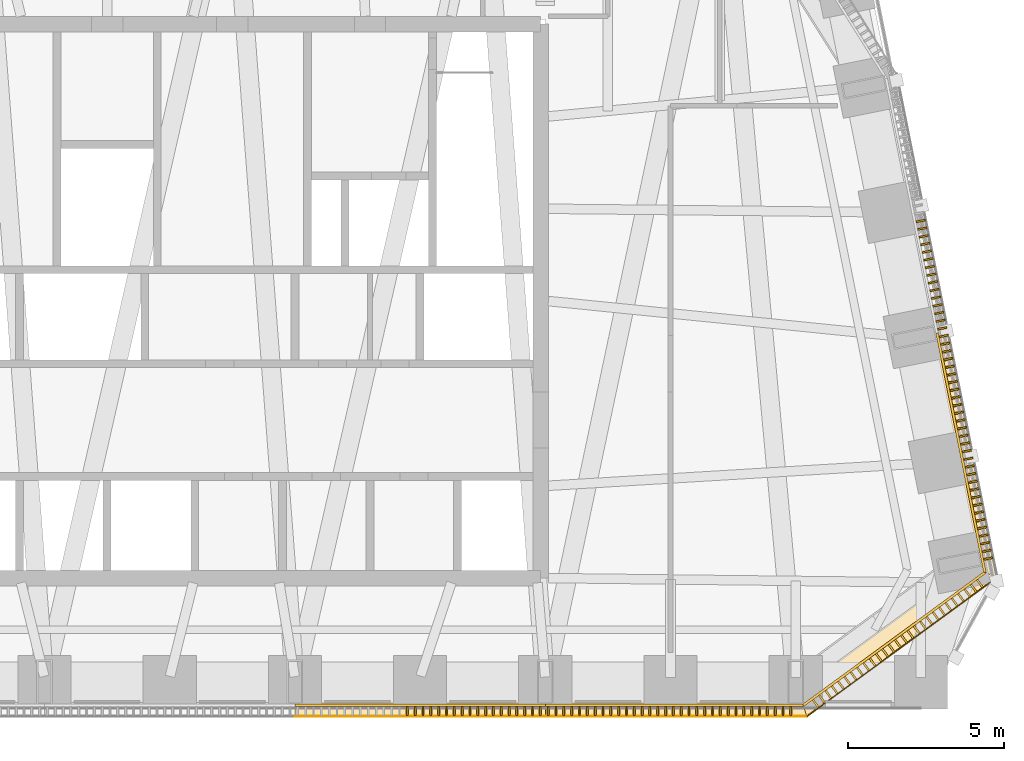
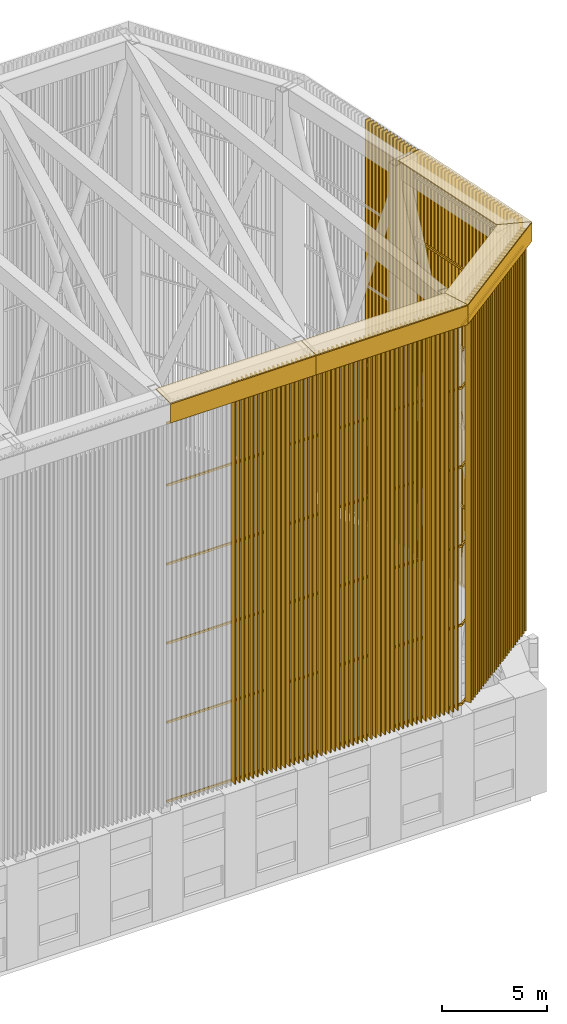
# One storey, part 13 of 15: 146 shading devices, 7 coverings.
"""IFC4 building model written with IfcOpenShell, lengths in metres."""

from ifc_helpers import new_model, si_unit, direction, frame, origin, origin_2d, place, context, subcontext, project, spatial, polyline, rectangle, outline, extrude, material, layer, layer_set, material_profile, profile_set, type_object, element, save


model = new_model("IFC4")

# Units and contexts
model_context = context("Model", 3, precision=1e-05, world=origin(), true_north=direction((0.0, 1.0)))
body_context = subcontext(model_context, "Body", "Model", "MODEL_VIEW")
ifc_project = project(units=[si_unit("LENGTHUNIT", "METRE"), si_unit("AREAUNIT", "SQUARE_METRE"), si_unit("VOLUMEUNIT", "CUBIC_METRE"), si_unit("PLANEANGLEUNIT", "RADIAN"), si_unit("MASSUNIT", "GRAM", prefix="KILO")], contexts=[model_context])

# Site, building, storey
site_placement = place(None, origin())
site = spatial("IfcSite", under=ifc_project, at=site_placement, CompositionType="ELEMENT")
building_placement = place(site_placement, origin())
building = spatial("IfcBuilding", under=site, at=building_placement, Name="Isbrekke Arena Tower", CompositionType="ELEMENT")
storey_placement = place(building_placement, frame((0.0, 0.0, 324.0)))
storey = spatial("IfcBuildingStorey", under=building, at=storey_placement, Name="L76", CompositionType="ELEMENT", Elevation=324.0)

# Shading devices
ifc_material_1 = material(Name="Pre-patinated copper on aluminium core", Category="aluminium")
ifc_material_profile = material_profile(ifc_material_1, rectangle(XDim=0.06005859375, YDim=0.300048828125, at=origin_2d()), Name="FIN 60X300")
ifc_profile_set = profile_set([ifc_material_profile], Name="Pre-patinated copper on aluminium core")
shading_device_type_1 = type_object("IfcShadingDeviceType", Name="CR1 CROWN FIN 60 x 300", PredefinedType="USERDEFINED", material=ifc_profile_set)
for number, where, z_axis, x_axis, name in (
    (1, (9.593017578125, 1.89501953125, 6.60009765625), (0.0, 0.0, 1.0), (1.0, 0.0, 0.0), "CR1 crown fin A144"),
    (2, (9.843017578125, 1.89501953125, 6.60009765625), (0.0, 0.0, 1.0), (1.0, 0.0, 0.0), "CR1 crown fin A145"),
    (3, (10.093017578125, 1.89501953125, 6.60009765625), (0.0, 0.0, 1.0), (1.0, 0.0, 0.0), "CR1 crown fin A146"),
    (4, (10.343017578125, 1.89501953125, 6.60009765625), (0.0, 0.0, 1.0), (1.0, 0.0, 0.0), "CR1 crown fin A147"),
    (5, (10.593017578125, 1.89501953125, 6.60009765625), (0.0, 0.0, 1.0), (1.0, 0.0, 0.0), "CR1 crown fin A148"),
    (6, (10.843017578125, 1.89501953125, 6.60009765625), (0.0, 0.0, 1.0), (1.0, 0.0, 0.0), "CR1 crown fin A149"),
    (7, (11.093017578125, 1.89501953125, 6.60009765625), (0.0, 0.0, 1.0), (1.0, 0.0, 0.0), "CR1 crown fin A150"),
    (8, (11.343017578125, 1.89501953125, 6.60009765625), (0.0, 0.0, 1.0), (1.0, 0.0, 0.0), "CR1 crown fin A151"),
    (9, (11.593017578125, 1.89501953125, 6.60009765625), (0.0, 0.0, 1.0), (1.0, 0.0, 0.0), "CR1 crown fin A152"),
    (10, (11.843017578125, 1.89501953125, 6.60009765625), (0.0, 0.0, 1.0), (1.0, 0.0, 0.0), "CR1 crown fin A153"),
    (11, (12.093017578125, 1.89501953125, 6.60009765625), (0.0, 0.0, 1.0), (1.0, 0.0, 0.0), "CR1 crown fin A154"),
    (12, (12.343017578125, 1.89501953125, 6.60009765625), (0.0, 0.0, 1.0), (1.0, 0.0, 0.0), "CR1 crown fin A155"),
    (13, (12.593017578125, 1.89501953125, 6.60009765625), (0.0, 0.0, 1.0), (1.0, 0.0, 0.0), "CR1 crown fin A156"),
    (14, (12.843017578125, 1.89501953125, 6.60009765625), (0.0, 0.0, 1.0), (1.0, 0.0, 0.0), "CR1 crown fin A157"),
    (15, (13.093017578125, 1.89501953125, 6.60009765625), (0.0, 0.0, 1.0), (1.0, 0.0, 0.0), "CR1 crown fin A158"),
    (16, (13.343017578125, 1.89501953125, 6.60009765625), (0.0, 0.0, 1.0), (1.0, 0.0, 0.0), "CR1 crown fin A159"),
    (17, (13.593017578125, 1.89501953125, 6.60009765625), (0.0, 0.0, 1.0), (1.0, 0.0, 0.0), "CR1 crown fin A160"),
    (18, (13.843017578125, 1.89501953125, 6.60009765625), (0.0, 0.0, 1.0), (1.0, 0.0, 0.0), "CR1 crown fin A161"),
    (19, (14.093017578125, 1.89501953125, 6.60009765625), (0.0, 0.0, 1.0), (1.0, 0.0, 0.0), "CR1 crown fin A162"),
    (20, (14.343017578125, 1.89501953125, 6.60009765625), (0.0, 0.0, 1.0), (1.0, 0.0, 0.0), "CR1 crown fin A163"),
    (21, (14.593017578125, 1.89501953125, 6.60009765625), (0.0, 0.0, 1.0), (1.0, 0.0, 0.0), "CR1 crown fin A164"),
    (22, (14.843017578125, 1.89501953125, 6.60009765625), (0.0, 0.0, 1.0), (1.0, 0.0, 0.0), "CR1 crown fin A165"),
    (23, (15.093017578125, 1.89501953125, 6.60009765625), (0.0, 0.0, 1.0), (1.0, 0.0, 0.0), "CR1 crown fin A166"),
    (24, (15.343017578125, 1.89501953125, 6.60009765625), (0.0, 0.0, 1.0), (1.0, 0.0, 0.0), "CR1 crown fin A167"),
    (25, (15.593017578125, 1.89501953125, 6.60009765625), (0.0, 0.0, 1.0), (1.0, 0.0, 0.0), "CR1 crown fin A168"),
    (26, (15.843017578125, 1.89501953125, 6.60009765625), (0.0, 0.0, 1.0), (1.0, 0.0, 0.0), "CR1 crown fin A169"),
    (27, (16.093017578125, 1.89501953125, 6.60009765625), (0.0, 0.0, 1.0), (1.0, 0.0, 0.0), "CR1 crown fin A170"),
    (28, (16.343017578125, 1.89501953125, 6.60009765625), (0.0, 0.0, 1.0), (1.0, 0.0, 0.0), "CR1 crown fin A171"),
    (29, (16.593017578125, 1.89501953125, 6.60009765625), (0.0, 0.0, 1.0), (1.0, 0.0, 0.0), "CR1 crown fin A172"),
    (30, (16.843017578125, 1.89501953125, 6.60009765625), (0.0, 0.0, 1.0), (1.0, 0.0, 0.0), "CR1 crown fin A173"),
    (31, (17.093017578125, 1.89501953125, 6.60009765625), (0.0, 0.0, 1.0), (1.0, 0.0, 0.0), "CR1 crown fin A174"),
    (32, (17.343017578125, 1.89501953125, 6.60009765625), (0.0, 0.0, 1.0), (1.0, 0.0, 0.0), "CR1 crown fin A175"),
    (33, (17.593017578125, 1.89501953125, 6.60009765625), (0.0, 0.0, 1.0), (1.0, 0.0, 0.0), "CR1 crown fin A176"),
    (34, (17.843017578125, 1.89501953125, 6.60009765625), (0.0, 0.0, 1.0), (1.0, 0.0, 0.0), "CR1 crown fin A177"),
    (35, (18.093017578125, 1.89501953125, 6.60009765625), (0.0, 0.0, 1.0), (1.0, 0.0, 0.0), "CR1 crown fin A178"),
    (36, (18.343017578125, 1.89501953125, 6.60009765625), (0.0, 0.0, 1.0), (1.0, 0.0, 0.0), "CR1 crown fin A179"),
    (37, (18.593017578125, 1.89501953125, 6.60009765625), (0.0, 0.0, 1.0), (1.0, 0.0, 0.0), "CR1 crown fin A180"),
    (38, (18.843017578125, 1.89501953125, 6.60009765625), (0.0, 0.0, 1.0), (1.0, 0.0, 0.0), "CR1 crown fin A181"),
    (39, (19.093017578125, 1.89501953125, 6.60009765625), (0.0, 0.0, 1.0), (1.0, 0.0, 0.0), "CR1 crown fin A182"),
    (40, (19.343017578125, 1.89501953125, 6.60009765625), (0.0, 0.0, 1.0), (1.0, 0.0, 0.0), "CR1 crown fin A183"),
    (41, (19.593017578125, 1.89501953125, 6.60009765625), (0.0, 0.0, 1.0), (1.0, 0.0, 0.0), "CR1 crown fin A184"),
    (42, (19.843017578125, 1.89501953125, 6.60009765625), (0.0, 0.0, 1.0), (1.0, 0.0, 0.0), "CR1 crown fin A185"),
    (43, (20.093017578125, 1.89501953125, 6.60009765625), (0.0, 0.0, 1.0), (1.0, 0.0, 0.0), "CR1 crown fin A186"),
    (44, (20.343017578125, 1.89501953125, 6.60009765625), (0.0, 0.0, 1.0), (1.0, 0.0, 0.0), "CR1 crown fin A187"),
    (45, (20.593017578125, 1.89501953125, 6.60009765625), (0.0, 0.0, 1.0), (1.0, 0.0, 0.0), "CR1 crown fin A188"),
    (46, (20.843017578125, 1.89501953125, 6.60009765625), (0.0, 0.0, 1.0), (1.0, 0.0, 0.0), "CR1 crown fin A189"),
    (47, (21.093017578125, 1.89501953125, 6.60009765625), (0.0, 0.0, 1.0), (1.0, 0.0, 0.0), "CR1 crown fin A190"),
    (48, (21.343017578125, 1.89501953125, 6.60009765625), (0.0, 0.0, 1.0), (1.0, 0.0, 0.0), "CR1 crown fin A191"),
    (49, (21.593017578125, 1.89501953125, 6.60009765625), (0.0, 0.0, 1.0), (1.0, 0.0, 0.0), "CR1 crown fin A192"),
    (50, (21.843017578125, 1.89501953125, 6.60009765625), (0.0, 0.0, 1.0), (1.0, 0.0, 0.0), "CR1 crown fin A193"),
    (51, (22.637939453125, 2.139404296875, 6.60009765625), (0.0, 0.0, 1.0), (0.80733033499, 0.590099762926, 0.0), "CR1 crown fin B1"),
    (52, (22.83984375, 2.286865234375, 6.60009765625), (0.0, 0.0, 1.0), (0.80733033499, 0.590099762926, 0.0), "CR1 crown fin B2"),
    (53, (23.04150390625, 2.434326171875, 6.60009765625), (0.0, 0.0, 1.0), (0.80733033499, 0.590099762926, 0.0), "CR1 crown fin B3"),
    (54, (23.243408203125, 2.58203125, 6.60009765625), (0.0, 0.0, 1.0), (0.80733033499, 0.590099762926, 0.0), "CR1 crown fin B4"),
    (55, (23.4453125, 2.7294921875, 6.60009765625), (0.0, 0.0, 1.0), (0.80733033499, 0.590099762926, 0.0), "CR1 crown fin B5"),
    (56, (23.64697265625, 2.876953125, 6.60009765625), (0.0, 0.0, 1.0), (0.80733033499, 0.590099762926, 0.0), "CR1 crown fin B6"),
    (57, (23.848876953125, 3.0244140625, 6.60009765625), (0.0, 0.0, 1.0), (0.80733033499, 0.590099762926, 0.0), "CR1 crown fin B7"),
    (58, (24.05078125, 3.172119140625, 6.60009765625), (0.0, 0.0, 1.0), (0.80733033499, 0.590099762926, 0.0), "CR1 crown fin B8"),
    (59, (24.252685546875, 3.319580078125, 6.60009765625), (0.0, 0.0, 1.0), (0.80733033499, 0.590099762926, 0.0), "CR1 crown fin B9"),
    (60, (24.454345703125, 3.467041015625, 6.60009765625), (0.0, 0.0, 1.0), (0.80733033499, 0.590099762926, 0.0), "CR1 crown fin B10"),
    (61, (24.65625, 3.614501953125, 6.60009765625), (0.0, 0.0, 1.0), (0.80733033499, 0.590099762926, 0.0), "CR1 crown fin B11"),
    (62, (24.858154296875, 3.76220703125, 6.60009765625), (0.0, 0.0, 1.0), (0.80733033499, 0.590099762926, 0.0), "CR1 crown fin B12"),
    (63, (25.059814453125, 3.90966796875, 6.60009765625), (0.0, 0.0, 1.0), (0.80733033499, 0.590099762926, 0.0), "CR1 crown fin B13"),
    (64, (25.26171875, 4.05712890625, 6.60009765625), (0.0, 0.0, 1.0), (0.80733033499, 0.590099762926, 0.0), "CR1 crown fin B14"),
    (65, (25.463623046875, 4.20458984375, 6.60009765625), (0.0, 0.0, 1.0), (0.80733033499, 0.590099762926, 0.0), "CR1 crown fin B15"),
    (66, (25.66552734375, 4.352294921875, 6.60009765625), (0.0, 0.0, 1.0), (0.80733033499, 0.590099762926, 0.0), "CR1 crown fin B16"),
    (67, (25.8671875, 4.499755859375, 6.60009765625), (0.0, 0.0, 1.0), (0.80733033499, 0.590099762926, 0.0), "CR1 crown fin B17"),
    (68, (26.069091796875, 4.647216796875, 6.60009765625), (0.0, 0.0, 1.0), (0.80733033499, 0.590099762926, 0.0), "CR1 crown fin B18"),
    (69, (26.27099609375, 4.794677734375, 6.60009765625), (0.0, 0.0, 1.0), (0.80733033499, 0.590099762926, 0.0), "CR1 crown fin B19"),
    (70, (26.47265625, 4.9423828125, 6.60009765625), (0.0, 0.0, 1.0), (0.80733033499, 0.590099762926, 0.0), "CR1 crown fin B20"),
    (71, (26.674560546875, 5.08984375, 6.60009765625), (0.0, 0.0, 1.0), (0.80733033499, 0.590099762926, 0.0), "CR1 crown fin B21"),
    (72, (26.87646484375, 5.2373046875, 6.60009765625), (0.0, 0.0, 1.0), (0.80733033499, 0.590099762926, 0.0), "CR1 crown fin B22"),
    (73, (27.078125, 5.384765625, 6.60009765625), (0.0, 0.0, 1.0), (0.80733033499, 0.590099762926, 0.0), "CR1 crown fin B23"),
    (74, (27.280029296875, 5.532470703125, 6.60009765625), (0.0, 0.0, 1.0), (0.80733033499, 0.590099762926, 0.0), "CR1 crown fin B24"),
    (75, (27.48193359375, 5.679931640625, 6.60009765625), (0.0, 0.0, 1.0), (0.80733033499, 0.590099762926, 0.0), "CR1 crown fin B25"),
    (76, (27.683837890625, 5.827392578125, 6.60009765625), (0.0, 0.0, 1.0), (0.80733033499, 0.590099762926, 0.0), "CR1 crown fin B26"),
    (77, (27.885498046875, 5.97509765625, 6.60009765625), (0.0, 0.0, 1.0), (0.80733033499, 0.590099762926, 0.0), "CR1 crown fin B27"),
    (78, (28.15234375, 6.774169921875, 6.60009765625), (0.0, 0.0, 1.0), (-0.196116127026, 0.980580677313, 0.0), "CR1 crown fin C1"),
    (79, (28.103271484375, 7.019287109375, 6.60009765625), (0.0, 0.0, 1.0), (-0.196116127026, 0.980580677313, 0.0), "CR1 crown fin C2"),
    (80, (28.05419921875, 7.2646484375, 6.60009765625), (0.0, 0.0, 1.0), (-0.196116127026, 0.980580677313, 0.0), "CR1 crown fin C3"),
    (81, (28.005126953125, 7.509765625, 6.60009765625), (0.0, 0.0, 1.0), (-0.196116127026, 0.980580677313, 0.0), "CR1 crown fin C4"),
    (82, (27.9560546875, 7.7548828125, 6.60009765625), (0.0, 0.0, 1.0), (-0.196116127026, 0.980580677313, 0.0), "CR1 crown fin C5"),
    (83, (27.906982421875, 8.0, 6.60009765625), (0.0, 0.0, 1.0), (-0.196116127026, 0.980580677313, 0.0), "CR1 crown fin C6"),
    (84, (27.858154296875, 8.2451171875, 6.60009765625), (0.0, 0.0, 1.0), (-0.196116127026, 0.980580677313, 0.0), "CR1 crown fin C7"),
    (85, (27.80908203125, 8.490234375, 6.60009765625), (0.0, 0.0, 1.0), (-0.196116127026, 0.980580677313, 0.0), "CR1 crown fin C8"),
    (86, (27.760009765625, 8.7353515625, 6.60009765625), (0.0, 0.0, 1.0), (-0.196116127026, 0.980580677313, 0.0), "CR1 crown fin C9"),
    (87, (27.7109375, 8.98046875, 6.60009765625), (0.0, 0.0, 1.0), (-0.196116127026, 0.980580677313, 0.0), "CR1 crown fin C10"),
    (88, (27.661865234375, 9.2255859375, 6.60009765625), (0.0, 0.0, 1.0), (-0.196116127026, 0.980580677313, 0.0), "CR1 crown fin C11"),
    (89, (27.61279296875, 9.470947265625, 6.60009765625), (0.0, 0.0, 1.0), (-0.196116127026, 0.980580677313, 0.0), "CR1 crown fin C12"),
    (90, (27.56396484375, 9.716064453125, 6.60009765625), (0.0, 0.0, 1.0), (-0.196116127026, 0.980580677313, 0.0), "CR1 crown fin C13"),
    (91, (27.514892578125, 9.961181640625, 6.60009765625), (0.0, 0.0, 1.0), (-0.196116127026, 0.980580677313, 0.0), "CR1 crown fin C14"),
    (92, (27.4658203125, 10.206298828125, 6.60009765625), (0.0, 0.0, 1.0), (-0.196116127026, 0.980580677313, 0.0), "CR1 crown fin C15"),
    (93, (27.416748046875, 10.451416015625, 6.60009765625), (0.0, 0.0, 1.0), (-0.196116127026, 0.980580677313, 0.0), "CR1 crown fin C16"),
    (94, (27.36767578125, 10.696533203125, 6.60009765625), (0.0, 0.0, 1.0), (-0.196116127026, 0.980580677313, 0.0), "CR1 crown fin C17"),
    (95, (27.31884765625, 10.941650390625, 6.60009765625), (0.0, 0.0, 1.0), (-0.196116127026, 0.980580677313, 0.0), "CR1 crown fin C18"),
    (96, (27.269775390625, 11.186767578125, 6.60009765625), (0.0, 0.0, 1.0), (-0.196116127026, 0.980580677313, 0.0), "CR1 crown fin C19"),
    (97, (27.220703125, 11.43212890625, 6.60009765625), (0.0, 0.0, 1.0), (-0.196116127026, 0.980580677313, 0.0), "CR1 crown fin C20"),
    (98, (27.171630859375, 11.67724609375, 6.60009765625), (0.0, 0.0, 1.0), (-0.196116127026, 0.980580677313, 0.0), "CR1 crown fin C21"),
    (99, (27.12255859375, 11.92236328125, 6.60009765625), (0.0, 0.0, 1.0), (-0.196116127026, 0.980580677313, 0.0), "CR1 crown fin C22"),
    (100, (27.073486328125, 12.16748046875, 6.60009765625), (0.0, 0.0, 1.0), (-0.196116127026, 0.980580677313, 0.0), "CR1 crown fin C23"),
    (101, (27.024658203125, 12.41259765625, 6.60009765625), (0.0, 0.0, 1.0), (-0.196116127026, 0.980580677313, 0.0), "CR1 crown fin C24"),
    (102, (26.9755859375, 12.65771484375, 6.60009765625), (0.0, 0.0, 1.0), (-0.196116127026, 0.980580677313, 0.0), "CR1 crown fin C25"),
    (103, (26.926513671875, 12.90283203125, 6.60009765625), (0.0, 0.0, 1.0), (-0.196116127026, 0.980580677313, 0.0), "CR1 crown fin C26"),
    (104, (26.87744140625, 13.14794921875, 6.60009765625), (0.0, 0.0, 1.0), (-0.196116127026, 0.980580677313, 0.0), "CR1 crown fin C27"),
    (105, (26.828369140625, 13.39306640625, 6.60009765625), (0.0, 0.0, 1.0), (-0.196116127026, 0.980580677313, 0.0), "CR1 crown fin C28"),
    (106, (26.779296875, 13.638427734375, 6.60009765625), (0.0, 0.0, 1.0), (-0.196116127026, 0.980580677313, 0.0), "CR1 crown fin C29"),
    (107, (26.73046875, 13.883544921875, 6.60009765625), (0.0, 0.0, 1.0), (-0.196116127026, 0.980580677313, 0.0), "CR1 crown fin C30"),
    (108, (26.681396484375, 14.128662109375, 6.60009765625), (0.0, 0.0, 1.0), (-0.196116127026, 0.980580677313, 0.0), "CR1 crown fin C31"),
    (109, (26.63232421875, 14.373779296875, 6.60009765625), (0.0, 0.0, 1.0), (-0.196116127026, 0.980580677313, 0.0), "CR1 crown fin C32"),
    (110, (26.583251953125, 14.618896484375, 6.60009765625), (0.0, 0.0, 1.0), (-0.196116127026, 0.980580677313, 0.0), "CR1 crown fin C33"),
    (111, (26.5341796875, 14.864013671875, 6.60009765625), (0.0, 0.0, 1.0), (-0.196116127026, 0.980580677313, 0.0), "CR1 crown fin C34"),
    (112, (26.4853515625, 15.109130859375, 6.60009765625), (0.0, 0.0, 1.0), (-0.196116127026, 0.980580677313, 0.0), "CR1 crown fin C35"),
    (113, (26.436279296875, 15.354248046875, 6.60009765625), (0.0, 0.0, 1.0), (-0.196116127026, 0.980580677313, 0.0), "CR1 crown fin C36"),
    (114, (26.38720703125, 15.599365234375, 6.60009765625), (0.0, 0.0, 1.0), (-0.196116127026, 0.980580677313, 0.0), "CR1 crown fin C37"),
    (115, (26.338134765625, 15.8447265625, 6.60009765625), (0.0, 0.0, 1.0), (-0.196116127026, 0.980580677313, 0.0), "CR1 crown fin C38"),
    (116, (26.2890625, 16.08984375, 6.60009765625), (0.0, 0.0, 1.0), (-0.196116127026, 0.980580677313, 0.0), "CR1 crown fin C39"),
    (117, (26.239990234375, 16.3349609375, 6.60009765625), (0.0, 0.0, 1.0), (-0.196116127026, 0.980580677313, 0.0), "CR1 crown fin C40"),
    (118, (26.191162109375, 16.580078125, 6.60009765625), (0.0, 0.0, 1.0), (-0.196116127026, 0.980580677313, 0.0), "CR1 crown fin C41"),
    (119, (26.14208984375, 16.8251953125, 6.60009765625), (0.0, 0.0, 1.0), (-0.196116127026, 0.980580677313, 0.0), "CR1 crown fin C42"),
    (120, (26.093017578125, 17.0703125, 6.60009765625), (0.0, 0.0, 1.0), (-0.196116127026, 0.980580677313, 0.0), "CR1 crown fin C43"),
    (121, (26.0439453125, 17.3154296875, 6.60009765625), (0.0, 0.0, 1.0), (-0.196116127026, 0.980580677313, 0.0), "CR1 crown fin C44"),
    (122, (25.994873046875, 17.560546875, 6.60009765625), (0.0, 0.0, 1.0), (-0.196116127026, 0.980580677313, 0.0), "CR1 crown fin C45"),
):
    element("IfcShadingDevice", number, at=place(storey_placement, frame(where, z_axis=z_axis, x_axis=x_axis)), inside=storey, type_object=shading_device_type_1, Name=name, ObjectType="CROWN FIN", PredefinedType="USERDEFINED", context=body_context, shape_type="SweptSolid", body=[
        extrude(rectangle(XDim=0.06005859375, YDim=0.300048828125, at=origin_2d()), origin(), (0.0, 0.0, 1.0), 23.39990234375),
    ])
ifc_material_2 = material(Name="Galvanised steel RHS 120 x 80 x 5", Category="steel")
shading_device_type_2 = type_object("IfcShadingDeviceType", Name="CR2 CROWN SCREEN RAIL RHS 120 x 80", PredefinedType="USERDEFINED", material=ifc_material_2)
shading_device_1_placement = place(storey_placement, frame((0.0, 0.0, 6.60009765625)))
element("IfcShadingDevice", 123, at=shading_device_1_placement, inside=storey, type_object=shading_device_type_2, Name="CR2 crown screen rail 1 bay A5", ObjectType="CROWN SCREEN RAIL", PredefinedType="USERDEFINED", context=body_context, shape_type="SweptSolid", body=[
    extrude(outline(polyline([(6.0, 2.125), (14.0, 2.125), (14.0, 2.044921875), (6.0, 2.044921875), (6.0, 2.125)])), origin(), (0.0, 0.0, 1.0), 0.119873046875),
])
shading_device_2_placement = place(storey_placement, frame((0.0, 0.0, 11.199951171875)))
element("IfcShadingDevice", 124, at=shading_device_2_placement, inside=storey, type_object=shading_device_type_2, Name="CR2 crown screen rail 2 bay A5", ObjectType="CROWN SCREEN RAIL", PredefinedType="USERDEFINED", context=body_context, shape_type="SweptSolid", body=[
    extrude(outline(polyline([(6.0, 2.125), (14.0, 2.125), (14.0, 2.044921875), (6.0, 2.044921875), (6.0, 2.125)])), origin(), (0.0, 0.0, 1.0), 0.1201171875),
])
shading_device_3_placement = place(storey_placement, frame((0.0, 0.0, 15.800048828125)))
element("IfcShadingDevice", 125, at=shading_device_3_placement, inside=storey, type_object=shading_device_type_2, Name="CR2 crown screen rail 3 bay A5", ObjectType="CROWN SCREEN RAIL", PredefinedType="USERDEFINED", context=body_context, shape_type="SweptSolid", body=[
    extrude(outline(polyline([(6.0, 2.125), (14.0, 2.125), (14.0, 2.044921875), (6.0, 2.044921875), (6.0, 2.125)])), origin(), (0.0, 0.0, 1.0), 0.119873046875),
])
for number, where, name in (
    (126, (0.0, 0.0, 20.39990234375), "CR2 crown screen rail 4 bay A5"),
    (127, (0.0, 0.0, 25.0), "CR2 crown screen rail 5 bay A5"),
):
    element("IfcShadingDevice", number, at=place(storey_placement, frame(where)), inside=storey, type_object=shading_device_type_2, Name=name, ObjectType="CROWN SCREEN RAIL", PredefinedType="USERDEFINED", context=body_context, shape_type="SweptSolid", body=[
        extrude(outline(polyline([(6.0, 2.125), (14.0, 2.125), (14.0, 2.044921875), (6.0, 2.044921875), (6.0, 2.125)])), origin(), (0.0, 0.0, 1.0), 0.1201171875),
    ])
shading_device_4_placement = place(storey_placement, frame((0.0, 0.0, 28.60009765625)))
element("IfcShadingDevice", 128, at=shading_device_4_placement, inside=storey, type_object=shading_device_type_2, Name="CR2 crown screen rail 6 bay A5", ObjectType="CROWN SCREEN RAIL", PredefinedType="USERDEFINED", context=body_context, shape_type="SweptSolid", body=[
    extrude(outline(polyline([(6.0, 2.125), (14.0, 2.125), (14.0, 2.044921875), (6.0, 2.044921875), (6.0, 2.125)])), origin(), (0.0, 0.0, 1.0), 0.119873046875),
])
shading_device_5_placement = place(storey_placement, frame((0.0, 0.0, 6.60009765625)))
element("IfcShadingDevice", 129, at=shading_device_5_placement, inside=storey, type_object=shading_device_type_2, Name="CR2 crown screen rail 1 bay A6", ObjectType="CROWN SCREEN RAIL", PredefinedType="USERDEFINED", context=body_context, shape_type="SweptSolid", body=[
    extrude(outline(polyline([(14.0, 2.125), (22.228515625, 2.125), (22.254638671875, 2.044921875), (14.0, 2.044921875), (14.0, 2.125)])), origin(), (0.0, 0.0, 1.0), 0.119873046875),
])
shading_device_6_placement = place(storey_placement, frame((0.0, 0.0, 11.199951171875)))
element("IfcShadingDevice", 130, at=shading_device_6_placement, inside=storey, type_object=shading_device_type_2, Name="CR2 crown screen rail 2 bay A6", ObjectType="CROWN SCREEN RAIL", PredefinedType="USERDEFINED", context=body_context, shape_type="SweptSolid", body=[
    extrude(outline(polyline([(14.0, 2.125), (22.228515625, 2.125), (22.254638671875, 2.044921875), (14.0, 2.044921875), (14.0, 2.125)])), origin(), (0.0, 0.0, 1.0), 0.1201171875),
])
shading_device_7_placement = place(storey_placement, frame((0.0, 0.0, 15.800048828125)))
element("IfcShadingDevice", 131, at=shading_device_7_placement, inside=storey, type_object=shading_device_type_2, Name="CR2 crown screen rail 3 bay A6", ObjectType="CROWN SCREEN RAIL", PredefinedType="USERDEFINED", context=body_context, shape_type="SweptSolid", body=[
    extrude(outline(polyline([(14.0, 2.125), (22.228515625, 2.125), (22.254638671875, 2.044921875), (14.0, 2.044921875), (14.0, 2.125)])), origin(), (0.0, 0.0, 1.0), 0.119873046875),
])
for number, where, name in (
    (132, (0.0, 0.0, 20.39990234375), "CR2 crown screen rail 4 bay A6"),
    (133, (0.0, 0.0, 25.0), "CR2 crown screen rail 5 bay A6"),
):
    element("IfcShadingDevice", number, at=place(storey_placement, frame(where)), inside=storey, type_object=shading_device_type_2, Name=name, ObjectType="CROWN SCREEN RAIL", PredefinedType="USERDEFINED", context=body_context, shape_type="SweptSolid", body=[
        extrude(outline(polyline([(14.0, 2.125), (22.228515625, 2.125), (22.254638671875, 2.044921875), (14.0, 2.044921875), (14.0, 2.125)])), origin(), (0.0, 0.0, 1.0), 0.1201171875),
    ])
shading_device_8_placement = place(storey_placement, frame((0.0, 0.0, 28.60009765625)))
element("IfcShadingDevice", 134, at=shading_device_8_placement, inside=storey, type_object=shading_device_type_2, Name="CR2 crown screen rail 6 bay A6", ObjectType="CROWN SCREEN RAIL", PredefinedType="USERDEFINED", context=body_context, shape_type="SweptSolid", body=[
    extrude(outline(polyline([(14.0, 2.125), (22.228515625, 2.125), (22.254638671875, 2.044921875), (14.0, 2.044921875), (14.0, 2.125)])), origin(), (0.0, 0.0, 1.0), 0.119873046875),
])
shading_device_9_placement = place(storey_placement, frame((0.0, 0.0, 6.60009765625)))
element("IfcShadingDevice", 135, at=shading_device_9_placement, inside=storey, type_object=shading_device_type_2, Name="CR2 crown screen rail 1 bay B1", ObjectType="CROWN SCREEN RAIL", PredefinedType="USERDEFINED", context=body_context, shape_type="SweptSolid", body=[
    extrude(outline(polyline([(22.228515625, 2.125), (28.00341796875, 6.345947265625), (28.091796875, 6.3115234375), (22.254638671875, 2.044921875), (22.228515625, 2.125)])), origin(), (0.0, 0.0, 1.0), 0.119873046875),
])
shading_device_10_placement = place(storey_placement, frame((0.0, 0.0, 11.199951171875)))
element("IfcShadingDevice", 136, at=shading_device_10_placement, inside=storey, type_object=shading_device_type_2, Name="CR2 crown screen rail 2 bay B1", ObjectType="CROWN SCREEN RAIL", PredefinedType="USERDEFINED", context=body_context, shape_type="SweptSolid", body=[
    extrude(outline(polyline([(22.228515625, 2.125), (28.00341796875, 6.345947265625), (28.091796875, 6.3115234375), (22.254638671875, 2.044921875), (22.228515625, 2.125)])), origin(), (0.0, 0.0, 1.0), 0.1201171875),
])
shading_device_11_placement = place(storey_placement, frame((0.0, 0.0, 15.800048828125)))
element("IfcShadingDevice", 137, at=shading_device_11_placement, inside=storey, type_object=shading_device_type_2, Name="CR2 crown screen rail 3 bay B1", ObjectType="CROWN SCREEN RAIL", PredefinedType="USERDEFINED", context=body_context, shape_type="SweptSolid", body=[
    extrude(outline(polyline([(22.228515625, 2.125), (28.00341796875, 6.345947265625), (28.091796875, 6.3115234375), (22.254638671875, 2.044921875), (22.228515625, 2.125)])), origin(), (0.0, 0.0, 1.0), 0.119873046875),
])
for number, where, name in (
    (138, (0.0, 0.0, 20.39990234375), "CR2 crown screen rail 4 bay B1"),
    (139, (0.0, 0.0, 25.0), "CR2 crown screen rail 5 bay B1"),
):
    element("IfcShadingDevice", number, at=place(storey_placement, frame(where)), inside=storey, type_object=shading_device_type_2, Name=name, ObjectType="CROWN SCREEN RAIL", PredefinedType="USERDEFINED", context=body_context, shape_type="SweptSolid", body=[
        extrude(outline(polyline([(22.228515625, 2.125), (28.00341796875, 6.345947265625), (28.091796875, 6.3115234375), (22.254638671875, 2.044921875), (22.228515625, 2.125)])), origin(), (0.0, 0.0, 1.0), 0.1201171875),
    ])
shading_device_12_placement = place(storey_placement, frame((0.0, 0.0, 28.60009765625)))
element("IfcShadingDevice", 140, at=shading_device_12_placement, inside=storey, type_object=shading_device_type_2, Name="CR2 crown screen rail 6 bay B1", ObjectType="CROWN SCREEN RAIL", PredefinedType="USERDEFINED", context=body_context, shape_type="SweptSolid", body=[
    extrude(outline(polyline([(22.228515625, 2.125), (28.00341796875, 6.345947265625), (28.091796875, 6.3115234375), (22.254638671875, 2.044921875), (22.228515625, 2.125)])), origin(), (0.0, 0.0, 1.0), 0.119873046875),
])
shading_device_13_placement = place(storey_placement, frame((0.0, 0.0, 6.60009765625)))
element("IfcShadingDevice", 141, at=shading_device_13_placement, inside=storey, type_object=shading_device_type_2, Name="CR2 crown screen rail 1 bay C1", ObjectType="CROWN SCREEN RAIL", PredefinedType="USERDEFINED", context=body_context, shape_type="SweptSolid", body=[
    extrude(outline(polyline([(28.00341796875, 6.345947265625), (26.4775390625, 13.9755859375), (26.555908203125, 13.9912109375), (28.091796875, 6.3115234375), (28.00341796875, 6.345947265625)])), origin(), (0.0, 0.0, 1.0), 0.119873046875),
])
shading_device_14_placement = place(storey_placement, frame((0.0, 0.0, 11.199951171875)))
element("IfcShadingDevice", 142, at=shading_device_14_placement, inside=storey, type_object=shading_device_type_2, Name="CR2 crown screen rail 2 bay C1", ObjectType="CROWN SCREEN RAIL", PredefinedType="USERDEFINED", context=body_context, shape_type="SweptSolid", body=[
    extrude(outline(polyline([(28.00341796875, 6.345947265625), (26.4775390625, 13.9755859375), (26.555908203125, 13.9912109375), (28.091796875, 6.3115234375), (28.00341796875, 6.345947265625)])), origin(), (0.0, 0.0, 1.0), 0.1201171875),
])
shading_device_15_placement = place(storey_placement, frame((0.0, 0.0, 15.800048828125)))
element("IfcShadingDevice", 143, at=shading_device_15_placement, inside=storey, type_object=shading_device_type_2, Name="CR2 crown screen rail 3 bay C1", ObjectType="CROWN SCREEN RAIL", PredefinedType="USERDEFINED", context=body_context, shape_type="SweptSolid", body=[
    extrude(outline(polyline([(28.00341796875, 6.345947265625), (26.4775390625, 13.9755859375), (26.555908203125, 13.9912109375), (28.091796875, 6.3115234375), (28.00341796875, 6.345947265625)])), origin(), (0.0, 0.0, 1.0), 0.119873046875),
])
for number, where, name in (
    (144, (0.0, 0.0, 20.39990234375), "CR2 crown screen rail 4 bay C1"),
    (145, (0.0, 0.0, 25.0), "CR2 crown screen rail 5 bay C1"),
):
    element("IfcShadingDevice", number, at=place(storey_placement, frame(where)), inside=storey, type_object=shading_device_type_2, Name=name, ObjectType="CROWN SCREEN RAIL", PredefinedType="USERDEFINED", context=body_context, shape_type="SweptSolid", body=[
        extrude(outline(polyline([(28.00341796875, 6.345947265625), (26.4775390625, 13.9755859375), (26.555908203125, 13.9912109375), (28.091796875, 6.3115234375), (28.00341796875, 6.345947265625)])), origin(), (0.0, 0.0, 1.0), 0.1201171875),
    ])
shading_device_16_placement = place(storey_placement, frame((0.0, 0.0, 28.60009765625)))
element("IfcShadingDevice", 146, at=shading_device_16_placement, inside=storey, type_object=shading_device_type_2, Name="CR2 crown screen rail 6 bay C1", ObjectType="CROWN SCREEN RAIL", PredefinedType="USERDEFINED", context=body_context, shape_type="SweptSolid", body=[
    extrude(outline(polyline([(28.00341796875, 6.345947265625), (26.4775390625, 13.9755859375), (26.555908203125, 13.9912109375), (28.091796875, 6.3115234375), (28.00341796875, 6.345947265625)])), origin(), (0.0, 0.0, 1.0), 0.119873046875),
])

# Coverings
ifc_material_3 = material(Name="Pre-patinated copper sheet on plywood deck", Category="wood")
ifc_layer_1 = layer(ifc_material_3, 0.06005859375)
ifc_layer_set_1 = layer_set([ifc_layer_1], Name="CR3 CROWN CAP COPING")
covering_type_1 = type_object("IfcCoveringType", Name="CR3 CROWN CAP COPING", PredefinedType="CLADDING", material=ifc_layer_set_1)
covering_1_placement = place(storey_placement, frame((0.0, 0.0, 30.0)))
element("IfcCovering", 147, at=covering_1_placement, inside=storey, type_object=covering_type_1, Name="CR3 crown cap coping bay A5", PredefinedType="CLADDING", context=body_context, shape_type="SweptSolid", body=[
    extrude(outline(polyline([(6.0, 3.125), (14.0, 3.125), (14.0, 1.715087890625), (6.0, 1.715087890625), (6.0, 3.125)])), origin(), (0.0, 0.0, 1.0), 0.06005859375),
])
covering_2_placement = place(storey_placement, frame((0.0, 0.0, 30.0)))
element("IfcCovering", 148, at=covering_2_placement, inside=storey, type_object=covering_type_1, Name="CR3 crown cap coping bay A6", PredefinedType="CLADDING", context=body_context, shape_type="SweptSolid", body=[
    extrude(outline(polyline([(14.0, 3.125), (21.902099609375, 3.125), (22.3623046875, 1.715087890625), (14.0, 1.715087890625), (14.0, 3.125)])), origin(), (0.0, 0.0, 1.0), 0.06005859375),
])
covering_3_placement = place(storey_placement, frame((0.0, 0.0, 30.0)))
element("IfcCovering", 149, at=covering_3_placement, inside=storey, type_object=covering_type_1, Name="CR3 crown cap coping bay B1", PredefinedType="CLADDING", context=body_context, shape_type="SweptSolid", body=[
    extrude(outline(polyline([(21.902099609375, 3.125), (26.8974609375, 6.7763671875), (28.456787109375, 6.16943359375), (22.3623046875, 1.715087890625), (21.902099609375, 3.125)])), origin(), (0.0, 0.0, 1.0), 0.06005859375),
])
covering_4_placement = place(storey_placement, frame((0.0, 0.0, 30.0)))
element("IfcCovering", 150, at=covering_4_placement, inside=storey, type_object=covering_type_1, Name="CR3 crown cap coping bay C1", PredefinedType="CLADDING", context=body_context, shape_type="SweptSolid", body=[
    extrude(outline(polyline([(26.8974609375, 6.7763671875), (25.496826171875, 13.779296875), (26.87939453125, 14.055908203125), (28.456787109375, 6.16943359375), (26.8974609375, 6.7763671875)])), origin(), (0.0, 0.0, 1.0), 0.06005859375),
])
ifc_material_4 = material(Name="Pre-patinated copper sheet", Category="metal")
ifc_layer_2 = layer(ifc_material_4, 0.030029296875)
ifc_layer_set_2 = layer_set([ifc_layer_2], Name="CR4 CROWN CAP FASCIA")
covering_type_2 = type_object("IfcCoveringType", Name="CR4 CROWN CAP FASCIA", PredefinedType="CLADDING", material=ifc_layer_set_2)
covering_5_placement = place(storey_placement, frame((0.0, 0.0, 28.89990234375)))
element("IfcCovering", 151, at=covering_5_placement, inside=storey, type_object=covering_type_2, Name="CR4 crown cap fascia bay A5", PredefinedType="CLADDING", context=body_context, shape_type="SweptSolid", body=[
    extrude(outline(polyline([(6.0, 1.7451171875), (14.0, 1.7451171875), (14.0, 1.715087890625), (6.0, 1.715087890625), (6.0, 1.7451171875)])), origin(), (0.0, 0.0, 1.0), 1.10009765625),
])
covering_6_placement = place(storey_placement, frame((0.0, 0.0, 28.89990234375)))
element("IfcCovering", 152, at=covering_6_placement, inside=storey, type_object=covering_type_2, Name="CR4 crown cap fascia bay A6", PredefinedType="CLADDING", context=body_context, shape_type="SweptSolid", body=[
    extrude(outline(polyline([(14.0, 1.7451171875), (22.3525390625, 1.7451171875), (22.3623046875, 1.715087890625), (14.0, 1.715087890625), (14.0, 1.7451171875)])), origin(), (0.0, 0.0, 1.0), 1.10009765625),
])
covering_7_placement = place(storey_placement, frame((0.0, 0.0, 28.89990234375)))
element("IfcCovering", 153, at=covering_7_placement, inside=storey, type_object=covering_type_2, Name="CR4 crown cap fascia bay B1", PredefinedType="CLADDING", context=body_context, shape_type="SweptSolid", body=[
    extrude(outline(polyline([(22.3525390625, 1.7451171875), (28.423583984375, 6.182373046875), (28.456787109375, 6.16943359375), (22.3623046875, 1.715087890625), (22.3525390625, 1.7451171875)])), origin(), (0.0, 0.0, 1.0), 1.10009765625),
])

save(model, "model.ifc")
